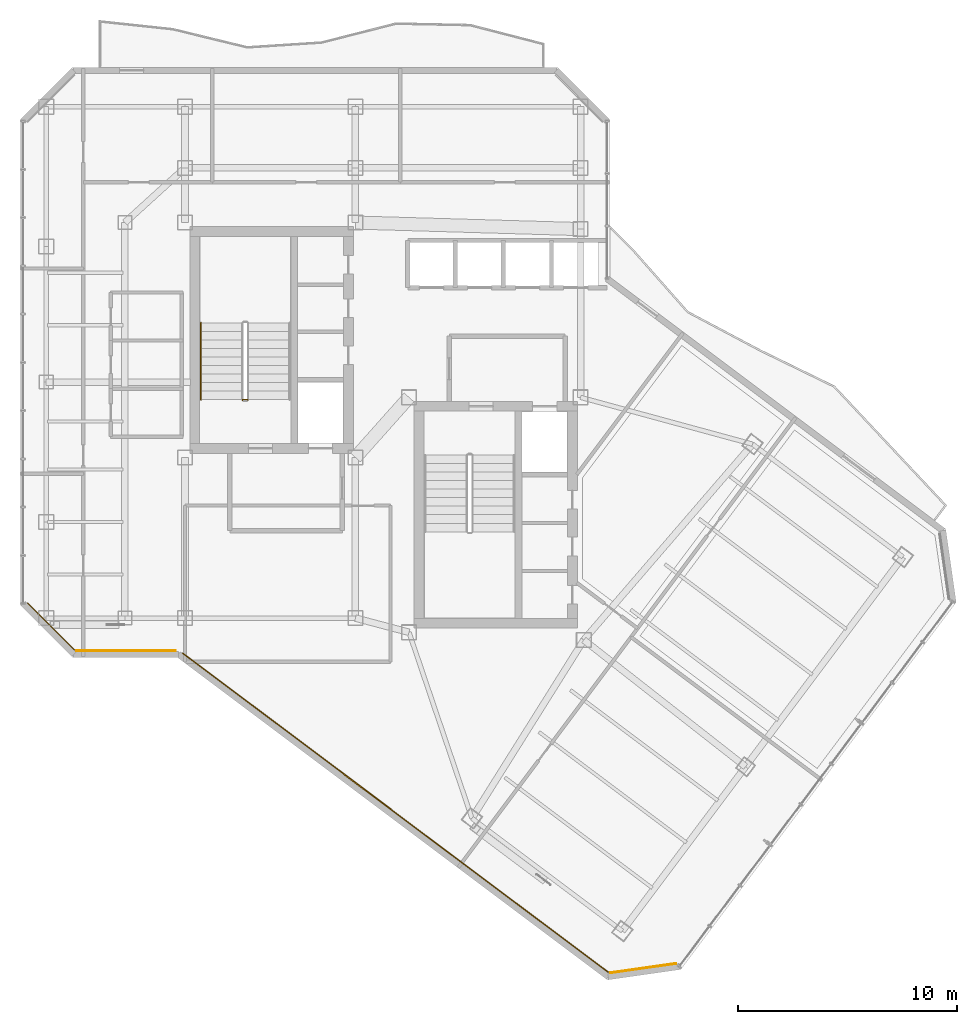
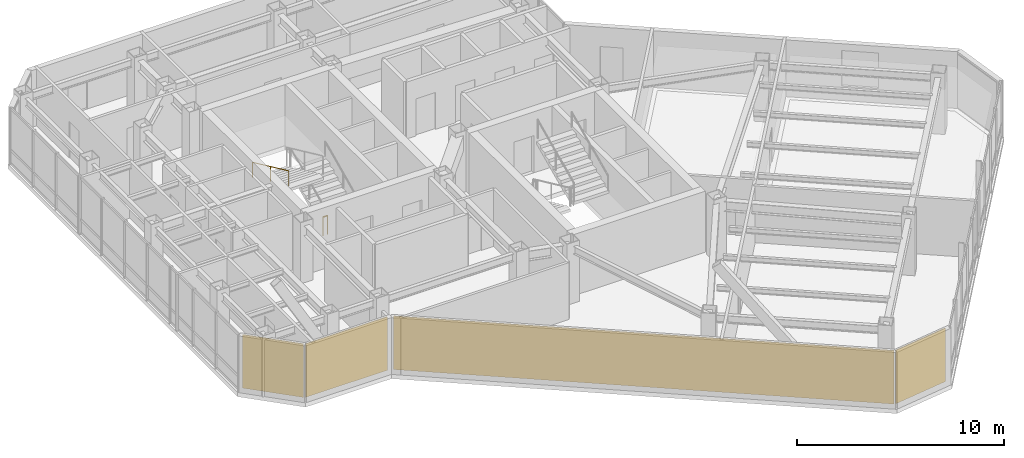
# One storey, part 22 of 25: 4 coverings, 2 railings.
"""IFC4 building model written with IfcOpenShell, lengths in metres."""

from ifc_helpers import new_model, si_unit, direction, frame, origin, origin_2d, place, context, subcontext, project, spatial, rectangle, circle, extrude, material, layer, layer_set, type_object, element, save


model = new_model("IFC4")

# Units and contexts
model_context = context("Model", 3, precision=1e-05, world=origin(), true_north=direction((0.0, 1.0)))
body_context = subcontext(model_context, "Body", "Model", "MODEL_VIEW")
ifc_project = project(units=[si_unit("LENGTHUNIT", "METRE"), si_unit("AREAUNIT", "SQUARE_METRE"), si_unit("VOLUMEUNIT", "CUBIC_METRE"), si_unit("PLANEANGLEUNIT", "RADIAN"), si_unit("MASSUNIT", "GRAM", prefix="KILO")], contexts=[model_context])

# Site, building, storey
site_placement = place(None, origin())
site = spatial("IfcSite", under=ifc_project, at=site_placement, CompositionType="ELEMENT")
building_placement = place(site_placement, origin())
building = spatial("IfcBuilding", under=site, at=building_placement, Name="Hatsunagi Terrace Concourse", CompositionType="ELEMENT")
storey_placement = place(building_placement, frame((0.0, 0.0, 216.75)))
storey = spatial("IfcBuildingStorey", under=building, at=storey_placement, Name="L57", CompositionType="ELEMENT", Elevation=216.75)

# Railings
ifc_material_1 = material(Name="Stainless steel", Category="steel")
ifc_layer_1 = layer(ifc_material_1, 0.044921875)
ifc_layer_set_1 = layer_set([ifc_layer_1], Name="StairPitchHandrail_Tower2000")
railing_type_1 = type_object("IfcRailingType", Name="StairPitchHandrail_Tower2000", PredefinedType="HANDRAIL", material=ifc_layer_set_1)
railing_1_placement = place(storey_placement, frame((26.280029296875, 38.7099609375, 1.97998046875)))
element("IfcRailing", 1, at=railing_1_placement, inside=storey, type_object=railing_type_1, Name="L57 ST-A stair handrail 2", PredefinedType="HANDRAIL", context=body_context, shape_type="SweptSolid", body=[
    extrude(circle(Radius=0.02392578125, at=origin_2d()), frame((0.0, 0.0, 0.8759765625), z_axis=(0.0, -0.907948293929, 0.419082206198), x_axis=(1.0, 0.0, 0.0)), (0.0, 0.0, 1.0), 3.865966796875),
    extrude(circle(Radius=0.02099609375, at=origin_2d()), origin(), (0.0, 0.0, 1.0), 0.851806640625),
    extrude(circle(Radius=0.02099609375, at=origin_2d()), frame((0.0, -1.7548828125, 0.81005859375)), (0.0, 0.0, 1.0), 0.851806640625),
    extrude(circle(Radius=0.02099609375, at=origin_2d()), frame((0.0, -3.510009765625, 1.6201171875)), (0.0, 0.0, 1.0), 0.851806640625),
])
ifc_material_2 = material(Name="Stainless Steel SUS316 Post-and-Rail Guard", Category="steel")
ifc_layer_2 = layer(ifc_material_2, 0.080078125)
ifc_layer_set_2 = layer_set([ifc_layer_2], Name="TerracePlantedGuardRail_1200")
railing_type_2 = type_object("IfcRailingType", Name="TerracePlantedGuardRail_1200", PredefinedType="GUARDRAIL", material=ifc_layer_set_2)
railing_2_placement = place(storey_placement, frame((28.179931640625, 35.179931640625, 0.0)))
element("IfcRailing", 2, at=railing_2_placement, inside=storey, type_object=railing_type_2, Name="Stair ST-A Well Closure Guard L57", PredefinedType="GUARDRAIL", context=body_context, shape_type="SweptSolid", body=[
    extrude(circle(Radius=0.02392578125, at=origin_2d()), frame((0.0, 0.0, 1.09619140625), z_axis=(1.0, 0.0, 0.0), x_axis=(0.0, 1.0, 0.0)), (0.0, 0.0, 1.0), 0.25),
    extrude(circle(Radius=0.02099609375, at=origin_2d()), origin(), (0.0, 0.0, 1.0), 1.072021484375),
    extrude(circle(Radius=0.02099609375, at=origin_2d()), frame((0.25, 0.0, 0.0)), (0.0, 0.0, 1.0), 1.072021484375),
])

# Coverings
ifc_material_3 = material(Name="Unglazed Warm Terracotta Rainscreen Tile", Category="masonry")
ifc_layer_3 = layer(ifc_material_3, 0.044921875)
ifc_layer_set_3 = layer_set([ifc_layer_3], Name="TerracottaRainscreenCladding_45")
covering_type = type_object("IfcCoveringType", Name="TerracottaRainscreenCladding_45", PredefinedType="CLADDING", material=ifc_layer_set_3)
covering_1_placement = place(storey_placement, frame((46.51806640625, 9.178955078125, 0.10009765625), z_axis=(0.0, 0.0, 1.0), x_axis=(-0.989973920543, -0.141250262458, 0.0)))
element("IfcCovering", 3, at=covering_1_placement, inside=storey, type_object=covering_type, Name="Terracotta Rainscreen Cladding L57-04", PredefinedType="CLADDING", context=body_context, shape_type="SweptSolid", body=[
    extrude(rectangle(XDim=3.0380859375, YDim=0.044921875, at=origin_2d()), origin(), (0.0, 0.0, 1.0), 3.14990234375),
])
covering_2_placement = place(storey_placement, frame((35.179931640625, 16.29296875, 0.10009765625), z_axis=(0.0, 0.0, 1.0), x_axis=(-0.800005211305, 0.599993051531, 0.0)))
element("IfcCovering", 4, at=covering_2_placement, inside=storey, type_object=covering_type, Name="Terracotta Rainscreen Cladding L57-05", PredefinedType="CLADDING", context=body_context, shape_type="SweptSolid", body=[
    extrude(rectangle(XDim=24.34912109375, YDim=0.044921875, at=origin_2d()), origin(), (0.0, 0.0, 1.0), 3.14990234375),
])
covering_3_placement = place(storey_placement, frame((22.85205078125, 23.701904296875, 0.10009765625), z_axis=(0.0, 0.0, 1.0), x_axis=(-1.0, 0.0, 0.0)))
element("IfcCovering", 5, at=covering_3_placement, inside=storey, type_object=covering_type, Name="Terracotta Rainscreen Cladding L57-06", PredefinedType="CLADDING", context=body_context, shape_type="SweptSolid", body=[
    extrude(rectangle(XDim=4.549072265625, YDim=0.044921875, at=origin_2d()), origin(), (0.0, 0.0, 1.0), 3.14990234375),
])
covering_4_placement = place(storey_placement, frame((19.4140625, 24.81396484375, 0.10009765625), z_axis=(0.0, 0.0, 1.0), x_axis=(-0.707106781187, 0.707106781187, 0.0)))
element("IfcCovering", 6, at=covering_4_placement, inside=storey, type_object=covering_type, Name="Terracotta Rainscreen Cladding L57-07", PredefinedType="CLADDING", context=body_context, shape_type="SweptSolid", body=[
    extrude(rectangle(XDim=3.0380859375, YDim=0.044921875, at=origin_2d()), origin(), (0.0, 0.0, 1.0), 3.14990234375),
])

save(model, "model.ifc")
